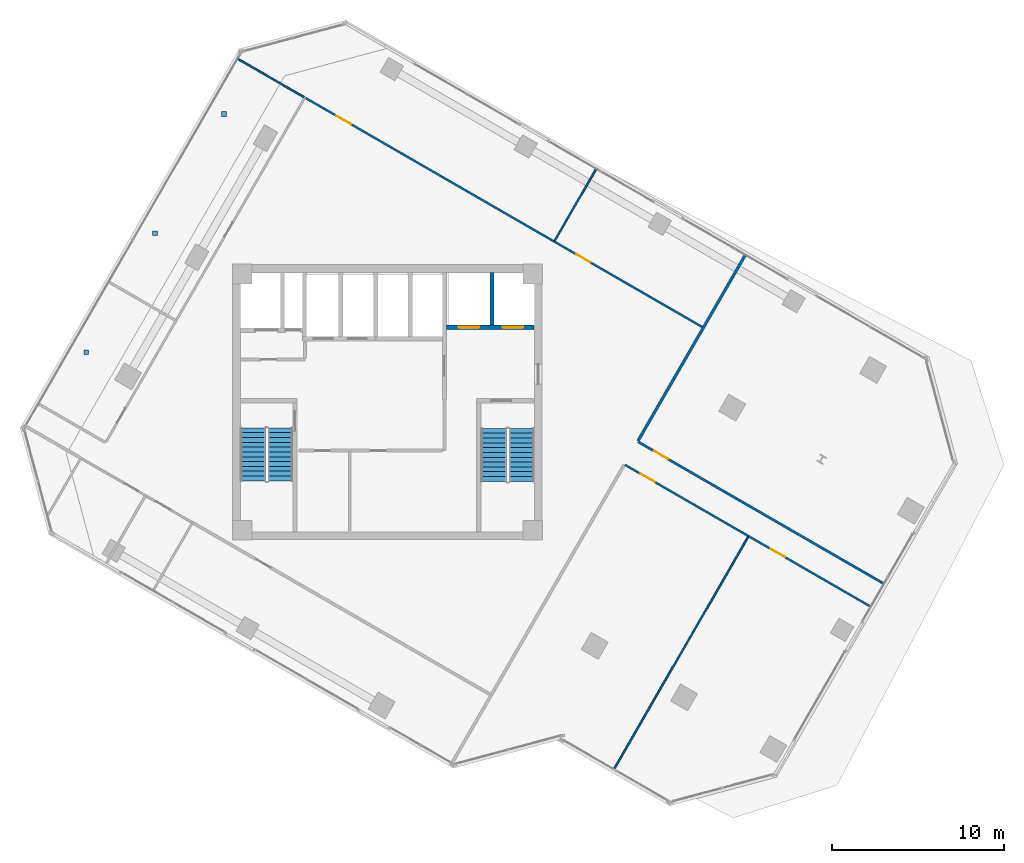
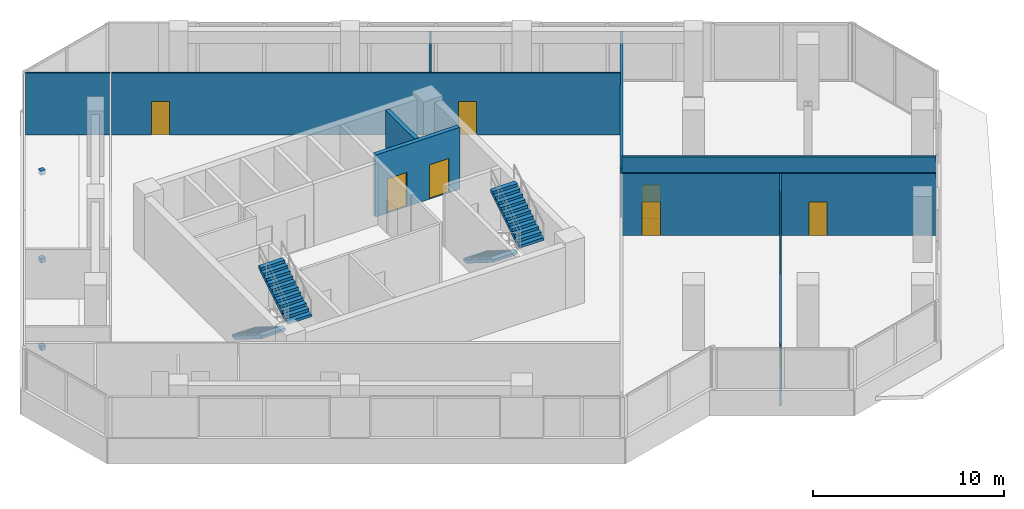
# One storey, part 18 of 21: 9 walls, 7 doors, 4 stair flights, 3 discrete accessories, 7 openings, 2 elements without a shape of their own.
"""IFC4 building model written with IfcOpenShell, lengths in metres."""

from ifc_helpers import new_model, si_unit, direction, frame, frame_2d, origin, origin_2d, place, context, subcontext, project, spatial, polyline, rectangle, outline, extrude, source, transform, mapped, material, layer, layer_set, type_object, element, fill, aggregate, save


model = new_model("IFC4")

# Units and contexts
model_context = context("Model", 3, precision=1e-05, world=origin(), true_north=direction((0.0, 1.0)))
body_context = subcontext(model_context, "Body", "Model", "MODEL_VIEW")
ifc_project = project(units=[si_unit("LENGTHUNIT", "METRE"), si_unit("AREAUNIT", "SQUARE_METRE"), si_unit("VOLUMEUNIT", "CUBIC_METRE"), si_unit("PLANEANGLEUNIT", "RADIAN"), si_unit("MASSUNIT", "GRAM", prefix="KILO")], contexts=[model_context])

# Site, building, storey
site_placement = place(None, origin())
site = spatial("IfcSite", under=ifc_project, at=site_placement, CompositionType="ELEMENT")
building_placement = place(site_placement, origin())
building = spatial("IfcBuilding", under=site, at=building_placement, Name="Torre Montelarca", CompositionType="ELEMENT")
storey_placement = place(building_placement, frame((0.0, 0.0, 179.199951171875)))
storey = spatial("IfcBuildingStorey", under=building, at=storey_placement, Name="L40", CompositionType="ELEMENT", Elevation=179.199951171875)

# Wall, openings, doors
ifc_material_1 = material(Name="Concrete C40/50", Category="concrete")
ifc_layer_1 = layer(ifc_material_1, 0.25, Name="Concrete C40/50", Category="concrete")
ifc_layer_set_1 = layer_set([ifc_layer_1], Name="Concrete C40/50")
wall_type_1 = type_object("IfcWallType", Name="CW-SHAFT-250", PredefinedType="SHEAR", material=ifc_layer_set_1)
wall_1_placement = place(storey_placement, frame((21.449951171875, 36.35009765625, 0.0), z_axis=(0.0, 0.0, 1.0), x_axis=(1.0, 0.0, 0.0)))
wall_1 = element("IfcWall", 1, at=wall_1_placement, inside=storey, type_object=wall_type_1, Name="L40 Core Shear Wall SH-FF-S", PredefinedType="SHEAR", context=body_context, shape_type="SweptSolid", body=[
    extrude(rectangle(XDim=5.090087890625, YDim=0.25, at=frame_2d((2.544921875, 0.0))), origin(), (0.0, 0.0, 1.0), 3.9599609375),
])
opening_1_placement = place(wall_1_placement, frame((0.699951171875, 0.0, 0.0)))
opening_1 = element("IfcOpeningElement", 2, at=opening_1_placement, cuts=wall_1, Name="Opening LD-120", PredefinedType="OPENING", context=body_context, shape_type="SweptSolid", body=[
    extrude(rectangle(XDim=1.199951171875, YDim=2.199951171875, at=frame_2d((0.60009765625, 1.10009765625))), frame((0.0, 0.135009765625, 0.0), z_axis=(0.0, -1.0, 0.0), x_axis=(1.0, 0.0, 0.0)), (0.0, 0.0, 1.0), 0.27001953125),
])
opening_2_placement = place(wall_1_placement, frame((3.25, 0.0, 0.0)))
opening_2 = element("IfcOpeningElement", 3, at=opening_2_placement, cuts=wall_1, Name="Opening LD-120", PredefinedType="OPENING", context=body_context, shape_type="SweptSolid", body=[
    extrude(rectangle(XDim=1.199951171875, YDim=2.199951171875, at=frame_2d((0.60009765625, 1.10009765625))), frame((0.0, 0.135009765625, 0.0), z_axis=(0.0, -1.0, 0.0), x_axis=(1.0, 0.0, 0.0)), (0.0, 0.0, 1.0), 0.27001953125),
])
ifc_material_2 = material(Name="Brushed stainless steel AISI 316", Category="steel")
door_type_1 = type_object("IfcDoorType", Name="DR-LIFT-120", OperationType="SLIDING_TO_RIGHT", PredefinedType="DOOR", material=ifc_material_2)
shared_shape_1 = source(origin(), body_context, "Body", "SweptSolid", [
    extrude(rectangle(XDim=1.199951171875, YDim=2.199951171875, at=frame_2d((0.60009765625, 1.10009765625))), frame((0.0, 0.02490234375, 0.0), z_axis=(0.0, -1.0, 0.0), x_axis=(1.0, 0.0, 0.0)), (0.0, 0.0, 1.0), 0.050048828125),
])
door_1_placement = place(opening_1_placement, origin())
door_1 = element("IfcDoor", 4, at=door_1_placement, inside=storey, type_object=door_type_1, Name="L40 Lift Landing Sliding Door FF-1", OperationType="SLIDING_TO_LEFT", OverallHeight=2.199951171875, OverallWidth=1.199951171875, PredefinedType="DOOR", context=body_context, shape_type="MappedRepresentation", body=[
    mapped(shared_shape_1, transform((0.0, 0.0, 0.0), scale=1.0)),
])
fill(opening_1, door_1)
door_2_placement = place(opening_2_placement, origin())
door_2 = element("IfcDoor", 5, at=door_2_placement, inside=storey, type_object=door_type_1, Name="L40 Lift Landing Sliding Door FF-2", OperationType="SLIDING_TO_RIGHT", OverallHeight=2.199951171875, OverallWidth=1.199951171875, PredefinedType="DOOR", context=body_context, shape_type="MappedRepresentation", body=[
    mapped(shared_shape_1, transform((0.0, 0.0, 0.0), scale=1.0)),
])
fill(opening_2, door_2)

# Walls
wall_2_placement = place(storey_placement, frame((24.080078125, 36.47998046875, 0.0), z_axis=(0.0, 0.0, 1.0), x_axis=(0.0, 1.0, 0.0)))
element("IfcWall", 6, at=wall_2_placement, inside=storey, type_object=wall_type_1, Name="L40 Core Shear Wall SH-FF-M", PredefinedType="SHEAR", context=body_context, shape_type="SweptSolid", body=[
    extrude(rectangle(XDim=3.06005859375, YDim=0.25, at=frame_2d((1.530029296875, 0.0))), origin(), (0.0, 0.0, 1.0), 3.9599609375),
])
ifc_material_3 = material(Name="Gypsum plasterboard on steel stud", Category="steel")
ifc_layer_2 = layer(ifc_material_3, 0.159912109375, Name="Gypsum plasterboard on steel stud", Category="steel")
ifc_layer_set_2 = layer_set([ifc_layer_2], Name="Gypsum plasterboard on steel stud")
wall_type_2 = type_object("IfcWallType", Name="PW-FIRE-160", PredefinedType="PARTITIONING", material=ifc_layer_set_2)
wall_3_placement = place(storey_placement, frame((32.57373046875, 29.740234375, 0.0), z_axis=(0.0, 0.0, 1.0), x_axis=(0.499986899807, 0.866032967052, 0.0)))
element("IfcWall", 7, at=wall_3_placement, inside=storey, type_object=wall_type_2, Name="L40 Interior Partition W-L40-ECN", PredefinedType="PARTITIONING", context=body_context, shape_type="SweptSolid", body=[
    extrude(rectangle(XDim=12.440185546875, YDim=0.159912109375, at=frame_2d((6.22021484375, 0.0))), origin(), (0.0, 0.0, 1.0), 3.195068359375),
])
ifc_material_4 = material(Name="Acoustic laminated glass partition", Category="glass")
ifc_layer_3 = layer(ifc_material_4, 0.10009765625, Name="Acoustic laminated glass partition", Category="glass")
ifc_layer_set_3 = layer_set([ifc_layer_3], Name="Acoustic laminated glass partition")
wall_type_3 = type_object("IfcWallType", Name="PW-GLAZ-100", PredefinedType="PARTITIONING", material=ifc_layer_set_3)
wall_4_placement = place(storey_placement, frame((27.72119140625, 41.37548828125, 0.0), z_axis=(0.0, 0.0, 1.0), x_axis=(0.500009234706, 0.866020072059, 0.0)))
element("IfcWall", 8, at=wall_4_placement, inside=storey, type_object=wall_type_3, Name="L40 Interior Partition W-L40-NDIV-1", PredefinedType="PARTITIONING", context=body_context, shape_type="SweptSolid", body=[
    extrude(rectangle(XDim=4.7900390625, YDim=0.10009765625, at=frame_2d((2.39501953125, 0.0))), origin(), (0.0, 0.0, 1.0), 3.195068359375),
])
wall_5_placement = place(storey_placement, frame((9.32421875, 51.95068359375, 0.0), z_axis=(0.0, 0.0, 1.0), x_axis=(0.866036909293, -0.499980071345, 0.0)))
element("IfcWall", 9, at=wall_5_placement, inside=storey, type_object=wall_type_3, Name="L40 Interior Partition W-L40-WWGN", PredefinedType="PARTITIONING", context=body_context, shape_type="SweptSolid", body=[
    extrude(rectangle(XDim=4.429931640625, YDim=0.10009765625, at=frame_2d((2.21484375, 0.0))), origin(), (0.0, 0.0, 1.0), 3.9599609375),
])
wall_6_placement = place(storey_placement, frame((31.1962890625, 10.6748046875, 0.0), z_axis=(0.0, 0.0, 1.0), x_axis=(0.500001880682, 0.866024317969, 0.0)))
element("IfcWall", 10, at=wall_6_placement, inside=storey, type_object=wall_type_3, Name="L40 Interior Partition W-L40-SEDIV-1", PredefinedType="PARTITIONING", context=body_context, shape_type="SweptSolid", body=[
    extrude(rectangle(XDim=15.580078125, YDim=0.10009765625, at=frame_2d((7.7900390625, 0.0))), origin(), (0.0, 0.0, 1.0), 3.9599609375),
])

# Wall, openings, doors
ifc_layer_4 = layer(ifc_material_3, 0.114990234375, Name="Gypsum plasterboard on steel stud", Category="steel")
ifc_layer_set_4 = layer_set([ifc_layer_4], Name="Gypsum plasterboard on steel stud")
wall_type_4 = type_object("IfcWallType", Name="PW-PART-115", PredefinedType="PARTITIONING", material=ifc_layer_set_4)
wall_7_placement = place(storey_placement, frame((13.22998046875, 49.69580078125, 0.0), z_axis=(0.0, 0.0, 1.0), x_axis=(0.866026251752, -0.499998531275, 0.0)))
wall_7 = element("IfcWall", 11, at=wall_7_placement, inside=storey, type_object=wall_type_4, Name="L40 Interior Partition W-L40-NBOT", PredefinedType="PARTITIONING", context=body_context, shape_type="SweptSolid", body=[
    extrude(rectangle(XDim=26.68994140625, YDim=0.114990234375, at=frame_2d((13.344970703125, 0.0))), origin(), (0.0, 0.0, 1.0), 3.9599609375),
])
opening_3_placement = place(wall_7_placement, frame((2.10009765625, 0.0, 0.0)))
opening_3 = element("IfcOpeningElement", 12, at=opening_3_placement, cuts=wall_7, Name="Opening ID-095", PredefinedType="OPENING", context=body_context, shape_type="SweptSolid", body=[
    extrude(rectangle(XDim=0.949951171875, YDim=2.14990234375, at=frame_2d((0.47509765625, 1.074951171875))), frame((0.0, 0.0673828125, 0.0), z_axis=(0.0, -1.0, 0.0), x_axis=(1.0, 0.0, 0.0)), (0.0, 0.0, 1.0), 0.135009765625),
])
opening_4_placement = place(wall_7_placement, frame((18.199951171875, 0.0, 0.0)))
opening_4 = element("IfcOpeningElement", 13, at=opening_4_placement, cuts=wall_7, Name="Opening ID-095", PredefinedType="OPENING", context=body_context, shape_type="SweptSolid", body=[
    extrude(rectangle(XDim=0.949951171875, YDim=2.14990234375, at=frame_2d((0.47509765625, 1.074951171875))), frame((0.0, 0.0673828125, 0.0), z_axis=(0.0, -1.0, 0.0), x_axis=(1.0, 0.0, 0.0)), (0.0, 0.0, 1.0), 0.135009765625),
])
ifc_material_5 = material(Name="Hardwood acoustic timber veneer", Category="wood")
door_type_2 = type_object("IfcDoorType", Name="DR-INT-095", OperationType="NOTDEFINED", PredefinedType="DOOR", material=ifc_material_5)
shared_shape_2 = source(origin(), body_context, "Body", "SweptSolid", [
    extrude(rectangle(XDim=0.949951171875, YDim=2.14990234375, at=frame_2d((0.47509765625, 1.074951171875))), frame((0.0, 0.02490234375, 0.0), z_axis=(0.0, -1.0, 0.0), x_axis=(1.0, 0.0, 0.0)), (0.0, 0.0, 1.0), 0.050048828125),
])
door_3_placement = place(opening_3_placement, origin())
door_3 = element("IfcDoor", 14, at=door_3_placement, inside=storey, type_object=door_type_2, Name="L40 Interior Door 07", OperationType="SINGLE_SWING_LEFT", OverallHeight=2.14990234375, OverallWidth=0.949951171875, PredefinedType="DOOR", context=body_context, shape_type="MappedRepresentation", body=[
    mapped(shared_shape_2, transform((0.0, 0.0, 0.0), scale=1.0)),
])
fill(opening_3, door_3)
door_4_placement = place(opening_4_placement, origin())
door_4 = element("IfcDoor", 15, at=door_4_placement, inside=storey, type_object=door_type_2, Name="L40 Interior Door 08", OperationType="SINGLE_SWING_RIGHT", OverallHeight=2.14990234375, OverallWidth=0.949951171875, PredefinedType="DOOR", context=body_context, shape_type="MappedRepresentation", body=[
    mapped(shared_shape_2, transform((0.0, 0.0, 0.0), scale=1.0)),
])
fill(opening_4, door_4)

wall_8_placement = place(storey_placement, frame((31.818359375, 28.35205078125, 0.0), z_axis=(0.0, 0.0, 1.0), x_axis=(0.86602750728, -0.499996356621, 0.0)))
wall_8 = element("IfcWall", 16, at=wall_8_placement, inside=storey, type_object=wall_type_4, Name="L40 Interior Partition W-L40-SE-N", PredefinedType="PARTITIONING", context=body_context, shape_type="SweptSolid", body=[
    extrude(rectangle(XDim=16.4599609375, YDim=0.114990234375, at=frame_2d((8.22998046875, 0.0))), origin(), (0.0, 0.0, 1.0), 3.9599609375),
])
opening_5_placement = place(wall_8_placement, frame((1.050048828125, 0.0, 0.0)))
opening_5 = element("IfcOpeningElement", 17, at=opening_5_placement, cuts=wall_8, Name="Opening ID-095", PredefinedType="OPENING", context=body_context, shape_type="SweptSolid", body=[
    extrude(rectangle(XDim=0.949951171875, YDim=2.14990234375, at=frame_2d((0.47509765625, 1.074951171875))), frame((0.0, 0.0673828125, 0.0), z_axis=(0.0, -1.0, 0.0), x_axis=(1.0, 0.0, 0.0)), (0.0, 0.0, 1.0), 0.135009765625),
])
opening_6_placement = place(wall_8_placement, frame((9.7900390625, 0.0, 0.0)))
opening_6 = element("IfcOpeningElement", 18, at=opening_6_placement, cuts=wall_8, Name="Opening ID-095", PredefinedType="OPENING", context=body_context, shape_type="SweptSolid", body=[
    extrude(rectangle(XDim=0.949951171875, YDim=2.14990234375, at=frame_2d((0.47509765625, 1.074951171875))), frame((0.0, 0.0673828125, 0.0), z_axis=(0.0, -1.0, 0.0), x_axis=(1.0, 0.0, 0.0)), (0.0, 0.0, 1.0), 0.135009765625),
])
door_5_placement = place(opening_5_placement, origin())
door_5 = element("IfcDoor", 19, at=door_5_placement, inside=storey, type_object=door_type_2, Name="L40 Interior Door 12", OperationType="SINGLE_SWING_LEFT", OverallHeight=2.14990234375, OverallWidth=0.949951171875, PredefinedType="DOOR", context=body_context, shape_type="MappedRepresentation", body=[
    mapped(shared_shape_2, transform((0.0, 0.0, 0.0), scale=1.0)),
])
fill(opening_5, door_5)
door_6_placement = place(opening_6_placement, origin())
door_6 = element("IfcDoor", 20, at=door_6_placement, inside=storey, type_object=door_type_2, Name="L40 Interior Door 13", OperationType="SINGLE_SWING_RIGHT", OverallHeight=2.14990234375, OverallWidth=0.949951171875, PredefinedType="DOOR", context=body_context, shape_type="MappedRepresentation", body=[
    mapped(shared_shape_2, transform((0.0, 0.0, 0.0), scale=1.0)),
])
fill(opening_6, door_6)

# Wall, opening, door
ifc_layer_5 = layer(ifc_material_3, 0.135009765625, Name="Gypsum plasterboard on steel stud", Category="steel")
ifc_layer_set_5 = layer_set([ifc_layer_5], Name="Gypsum plasterboard on steel stud")
wall_type_5 = type_object("IfcWallType", Name="PW-PART-135", PredefinedType="PARTITIONING", material=ifc_layer_set_5)
wall_9_placement = place(storey_placement, frame((32.58837890625, 29.685791015625, 0.0), z_axis=(0.0, 0.0, 1.0), x_axis=(0.86602750728, -0.499996356621, 0.0)))
wall_9 = element("IfcWall", 21, at=wall_9_placement, inside=storey, type_object=wall_type_5, Name="L40 Interior Partition W-L40-NE-S", PredefinedType="PARTITIONING", context=body_context, shape_type="SweptSolid", body=[
    extrude(rectangle(XDim=16.4599609375, YDim=0.135009765625, at=frame_2d((8.22998046875, 0.0))), origin(), (0.0, 0.0, 1.0), 3.9599609375),
])
opening_7_placement = place(wall_9_placement, frame((1.050048828125, 0.0, 0.0)))
opening_7 = element("IfcOpeningElement", 22, at=opening_7_placement, cuts=wall_9, Name="Opening ID-095", PredefinedType="OPENING", context=body_context, shape_type="SweptSolid", body=[
    extrude(rectangle(XDim=0.949951171875, YDim=2.14990234375, at=frame_2d((0.47509765625, 1.074951171875))), frame((0.0, 0.07763671875, 0.0), z_axis=(0.0, -1.0, 0.0), x_axis=(1.0, 0.0, 0.0)), (0.0, 0.0, 1.0), 0.155029296875),
])
door_7_placement = place(opening_7_placement, origin())
door_7 = element("IfcDoor", 23, at=door_7_placement, inside=storey, type_object=door_type_2, Name="L40 Interior Door 11", OperationType="SINGLE_SWING_LEFT", OverallHeight=2.14990234375, OverallWidth=0.949951171875, PredefinedType="DOOR", context=body_context, shape_type="MappedRepresentation", body=[
    mapped(shared_shape_2, transform((0.0, 0.0, 0.0), scale=1.0)),
])
fill(opening_7, door_7)

# Stair, stair flights
stair_type_1 = type_object("IfcStairType", Name="ST-CORE-ST1", PredefinedType="HALF_TURN_STAIR", material=ifc_material_1)
stair_1_placement = place(storey_placement, origin())
stair_1 = element("IfcStair", 24, at=stair_1_placement, inside=storey, type_object=stair_type_1, Name="L40 Protected Exit Stair ST1", PredefinedType="HALF_TURN_STAIR")
stair_flight_type_1 = type_object("IfcStairFlightType", Name="SFL-CORE-ST1", PredefinedType="STRAIGHT", material=ifc_material_1)
stair_flight_1_placement = place(storey_placement, frame((10.175048828125, 30.5, 0.0), z_axis=(0.0, 0.0, 1.0), x_axis=(0.0, -1.0, 0.0)))
stair_flight_1 = element("IfcStairFlight", 25, at=stair_flight_1_placement, type_object=stair_flight_type_1, Name="ST1 flight 1", NumberOfRisers=12, NumberOfTreads=11, PredefinedType="STRAIGHT", RiserHeight=0.175, TreadLength=0.28, context=body_context, shape_type="SweptSolid", body=[
    extrude(outline(polyline([(0.0, 0.0), (0.0, 0.175048828125), (0.280029296875, 0.175048828125), (0.280029296875, 0.35009765625), (0.56005859375, 0.35009765625), (0.56005859375, 0.52490234375), (0.840087890625, 0.52490234375), (0.840087890625, 0.699951171875), (1.1201171875, 0.699951171875), (1.1201171875, 0.875), (1.39990234375, 0.875), (1.39990234375, 1.050048828125), (1.679931640625, 1.050048828125), (1.679931640625, 1.22509765625), (1.9599609375, 1.22509765625), (1.9599609375, 1.39990234375), (2.239990234375, 1.39990234375), (2.239990234375, 1.574951171875), (2.52001953125, 1.574951171875), (2.52001953125, 1.75), (2.800048828125, 1.75), (2.800048828125, 1.925048828125), (3.080078125, 1.925048828125), (3.080078125, 2.10009765625), (3.080078125, 1.748291015625), (0.28271484375, 0.0), (0.0, 0.0)])), frame((0.0, 0.72509765625, 0.0), z_axis=(0.0, -1.0, 0.0), x_axis=(1.0, 0.0, 0.0)), (0.0, 0.0, 1.0), 1.449951171875),
])
stair_flight_2_placement = place(storey_placement, frame((11.77490234375, 27.419921875, 2.10009765625), z_axis=(0.0, 0.0, 1.0), x_axis=(0.0, 1.0, 0.0)))
stair_flight_2 = element("IfcStairFlight", 26, at=stair_flight_2_placement, type_object=stair_flight_type_1, Name="ST1 flight 2", NumberOfRisers=12, NumberOfTreads=11, PredefinedType="STRAIGHT", RiserHeight=0.175, TreadLength=0.28, context=body_context, shape_type="SweptSolid", body=[
    extrude(outline(polyline([(0.0, 0.0), (0.0, 0.175048828125), (0.280029296875, 0.175048828125), (0.280029296875, 0.35009765625), (0.56005859375, 0.35009765625), (0.56005859375, 0.52490234375), (0.840087890625, 0.52490234375), (0.840087890625, 0.699951171875), (1.1201171875, 0.699951171875), (1.1201171875, 0.875), (1.39990234375, 0.875), (1.39990234375, 1.050048828125), (1.679931640625, 1.050048828125), (1.679931640625, 1.22509765625), (1.9599609375, 1.22509765625), (1.9599609375, 1.39990234375), (2.239990234375, 1.39990234375), (2.239990234375, 1.574951171875), (2.52001953125, 1.574951171875), (2.52001953125, 1.75), (2.800048828125, 1.75), (2.800048828125, 1.925048828125), (3.080078125, 1.925048828125), (3.080078125, 2.10009765625), (3.080078125, 1.748291015625), (0.28271484375, 0.0), (0.0, 0.0)])), frame((0.0, 0.72509765625, 0.0), z_axis=(0.0, -1.0, 0.0), x_axis=(1.0, 0.0, 0.0)), (0.0, 0.0, 1.0), 1.449951171875),
])
aggregate(stair_1, [stair_flight_1, stair_flight_2])

stair_type_2 = type_object("IfcStairType", Name="ST-CORE-ST2", PredefinedType="HALF_TURN_STAIR", material=ifc_material_1)
stair_2_placement = place(storey_placement, origin())
stair_2 = element("IfcStair", 27, at=stair_2_placement, inside=storey, type_object=stair_type_2, Name="L40 Protected Exit Stair ST2", PredefinedType="HALF_TURN_STAIR")
stair_flight_type_2 = type_object("IfcStairFlightType", Name="SFL-CORE-ST2", PredefinedType="STRAIGHT", material=ifc_material_1)
stair_flight_3_placement = place(storey_placement, frame((24.179931640625, 30.469970703125, 0.0), z_axis=(0.0, 0.0, 1.0), x_axis=(0.0, -1.0, 0.0)))
stair_flight_3 = element("IfcStairFlight", 28, at=stair_flight_3_placement, type_object=stair_flight_type_2, Name="ST2 flight 1", NumberOfRisers=12, NumberOfTreads=11, PredefinedType="STRAIGHT", RiserHeight=0.175, TreadLength=0.28, context=body_context, shape_type="SweptSolid", body=[
    extrude(outline(polyline([(0.0, 0.0), (0.0, 0.175048828125), (0.280029296875, 0.175048828125), (0.280029296875, 0.35009765625), (0.56005859375, 0.35009765625), (0.56005859375, 0.52490234375), (0.840087890625, 0.52490234375), (0.840087890625, 0.699951171875), (1.1201171875, 0.699951171875), (1.1201171875, 0.875), (1.39990234375, 0.875), (1.39990234375, 1.050048828125), (1.679931640625, 1.050048828125), (1.679931640625, 1.22509765625), (1.9599609375, 1.22509765625), (1.9599609375, 1.39990234375), (2.239990234375, 1.39990234375), (2.239990234375, 1.574951171875), (2.52001953125, 1.574951171875), (2.52001953125, 1.75), (2.800048828125, 1.75), (2.800048828125, 1.925048828125), (3.080078125, 1.925048828125), (3.080078125, 2.10009765625), (3.080078125, 1.748291015625), (0.28271484375, 0.0), (0.0, 0.0)])), frame((0.0, 0.739990234375, 0.0), z_axis=(0.0, -1.0, 0.0), x_axis=(1.0, 0.0, 0.0)), (0.0, 0.0, 1.0), 1.47998046875),
])
stair_flight_4_placement = place(storey_placement, frame((25.81005859375, 27.389892578125, 2.10009765625), z_axis=(0.0, 0.0, 1.0), x_axis=(0.0, 1.0, 0.0)))
stair_flight_4 = element("IfcStairFlight", 29, at=stair_flight_4_placement, type_object=stair_flight_type_2, Name="ST2 flight 2", NumberOfRisers=12, NumberOfTreads=11, PredefinedType="STRAIGHT", RiserHeight=0.175, TreadLength=0.28, context=body_context, shape_type="SweptSolid", body=[
    extrude(outline(polyline([(0.0, 0.0), (0.0, 0.175048828125), (0.280029296875, 0.175048828125), (0.280029296875, 0.35009765625), (0.56005859375, 0.35009765625), (0.56005859375, 0.52490234375), (0.840087890625, 0.52490234375), (0.840087890625, 0.699951171875), (1.1201171875, 0.699951171875), (1.1201171875, 0.875), (1.39990234375, 0.875), (1.39990234375, 1.050048828125), (1.679931640625, 1.050048828125), (1.679931640625, 1.22509765625), (1.9599609375, 1.22509765625), (1.9599609375, 1.39990234375), (2.239990234375, 1.39990234375), (2.239990234375, 1.574951171875), (2.52001953125, 1.574951171875), (2.52001953125, 1.75), (2.800048828125, 1.75), (2.800048828125, 1.925048828125), (3.080078125, 1.925048828125), (3.080078125, 2.10009765625), (3.080078125, 1.748291015625), (0.28271484375, 0.0), (0.0, 0.0)])), frame((0.0, 0.739990234375, 0.0), z_axis=(0.0, -1.0, 0.0), x_axis=(1.0, 0.0, 0.0)), (0.0, 0.0, 1.0), 1.47998046875),
])
aggregate(stair_2, [stair_flight_3, stair_flight_4])

# Discrete accessories
ifc_material_6 = material(Name="Stainless steel AISI 316", Category="steel")
discrete_accessory_type = type_object("IfcDiscreteAccessoryType", Name="ACC-BRACKET-SS", PredefinedType="BRACKET", material=ifc_material_6)
shared_shape_3 = source(origin(), body_context, "Body", "SweptSolid", [
    extrude(rectangle(XDim=0.280029296875, YDim=0.280029296875, at=origin_2d()), origin(), (0.0, 0.0, 1.0), 0.280029296875),
])
for number, where, z_axis, x_axis, name in (
    (30, (0.482666015625, 34.896728515625, -0.27978515625), (0.0, 0.0, 1.0), (1.0, 0.0, 0.0), "L40 Raker End Connection Bracket W1-HD"),
    (31, (4.482666015625, 41.824951171875, -0.27978515625), (0.0, 0.0, 1.0), (1.0, 0.0, 0.0), "L40 Raker End Connection Bracket W2-HD"),
    (32, (8.482666015625, 48.753173828125, -0.27978515625), (0.0, 0.0, 1.0), (1.0, 0.0, 0.0), "L40 Raker End Connection Bracket W3-HD"),
):
    element("IfcDiscreteAccessory", number, at=place(storey_placement, frame(where, z_axis=z_axis, x_axis=x_axis)), inside=storey, type_object=discrete_accessory_type, Name=name, PredefinedType="BRACKET", context=body_context, shape_type="MappedRepresentation", body=[
        mapped(shared_shape_3, transform((0.0, 0.0, 0.0), scale=1.0)),
    ])

save(model, "model.ifc")
